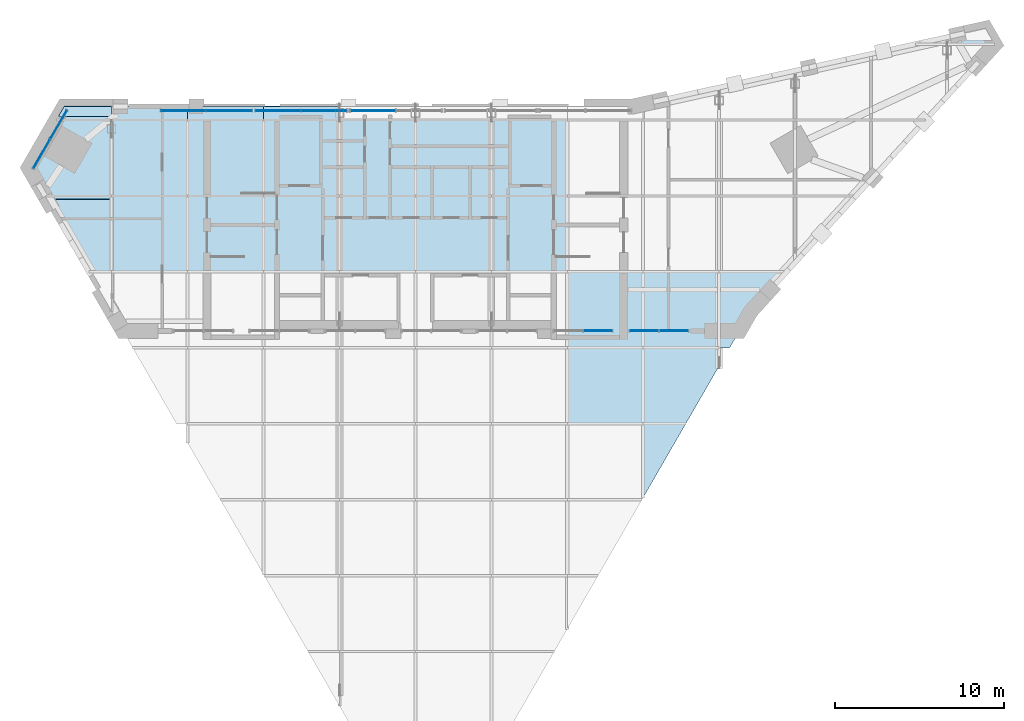
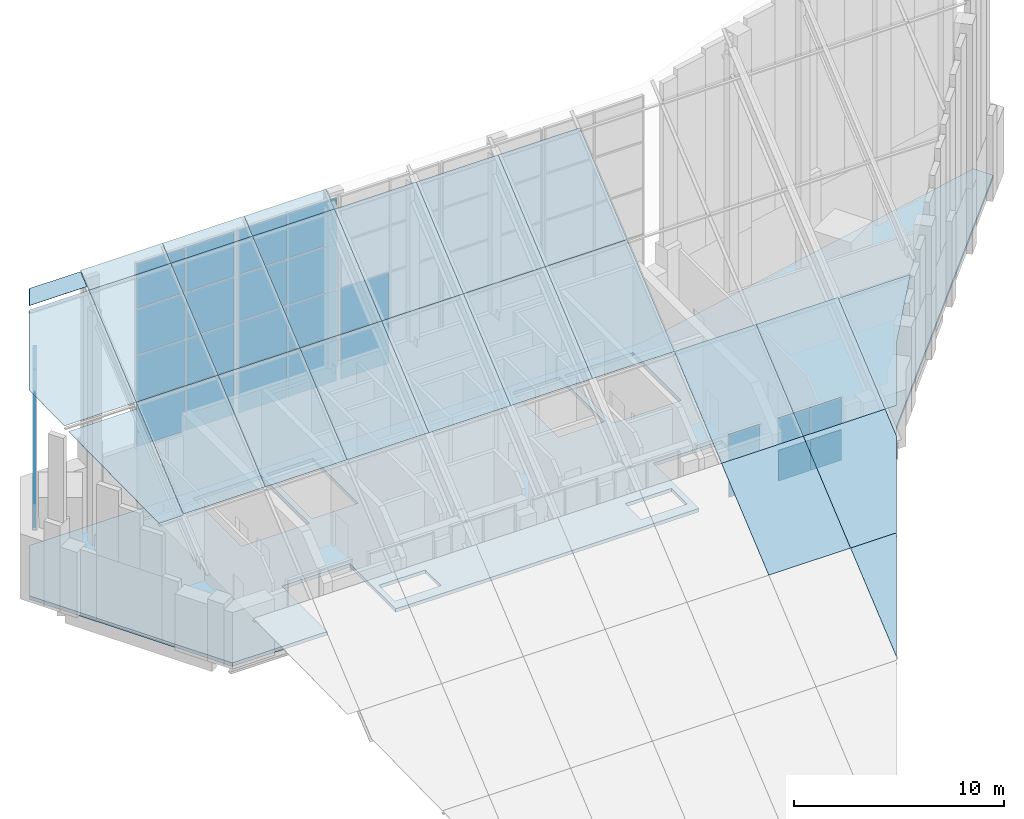
# One storey, part 10 of 19: 54 plates, 1 slab, 16 elements without a shape of their own.
"""IFC4 building model written with IfcOpenShell, lengths in metres."""

from ifc_helpers import new_model, si_unit, direction, frame, origin, origin_2d, place, context, subcontext, project, spatial, polyline, rectangle, outline, extrude, material, layer, layer_set, type_object, element, aggregate, save


model = new_model("IFC4")

# Units and contexts
model_context = context("Model", 3, precision=1e-05, world=origin(), true_north=direction((0.0, 1.0)))
body_context = subcontext(model_context, "Body", "Model", "MODEL_VIEW")
ifc_project = project(units=[si_unit("LENGTHUNIT", "METRE"), si_unit("AREAUNIT", "SQUARE_METRE"), si_unit("VOLUMEUNIT", "CUBIC_METRE"), si_unit("PLANEANGLEUNIT", "RADIAN"), si_unit("MASSUNIT", "GRAM", prefix="KILO")], contexts=[model_context])

# Site, building, storey
site_placement = place(None, origin())
site = spatial("IfcSite", under=ifc_project, at=site_placement, CompositionType="ELEMENT")
building_placement = place(site_placement, origin())
building = spatial("IfcBuilding", under=site, at=building_placement, Name="Calabash Gate Tower", CompositionType="ELEMENT")
storey_placement = place(building_placement, frame((0.0, 0.0, 335.5)))
storey = spatial("IfcBuildingStorey", under=building, at=storey_placement, Name="L78", CompositionType="ELEMENT", Elevation=335.5)

# Curtain wall, plates
ifc_material_1 = material(Name="Anodised aluminium frame, bronze finish, clear laminated low-emissivity glazing", Category="aluminium")
curtain_wall_type_1 = type_object("IfcCurtainWallType", Name="Curtain wall CWC crown roof glazing", PredefinedType="NOTDEFINED", material=ifc_material_1)
curtain_wall_1_placement = place(storey_placement, origin())
curtain_wall_1 = element("IfcCurtainWall", 1, at=curtain_wall_1_placement, inside=storey, type_object=curtain_wall_type_1, Name="Curtain wall CWC roof glazing strip 1", PredefinedType="NOTDEFINED")
ifc_material_2 = material(Name="Clear laminated low-emissivity glazing", Category="glass")
ifc_layer_1 = layer(ifc_material_2, 0.0400390625)
ifc_layer_set_1 = layer_set([ifc_layer_1], Name="Glass panel CWC 40")
plate_type_1 = type_object("IfcPlateType", Name="Glass panel CWC 40", PredefinedType="CURTAIN_PANEL", material=ifc_layer_set_1)
plate_1_placement = place(storey_placement, frame((-18.0, 9.248046875, 6.710693359375), z_axis=(0.0, -0.642786032272, 0.766045766724), x_axis=(-1.0, 0.0, 0.0)))
plate_1 = element("IfcPlate", 2, at=plate_1_placement, type_object=plate_type_1, Name="CWC roof panel 1.2", PredefinedType="CURTAIN_PANEL", context=body_context, shape_type="SweptSolid", body=[
    extrude(outline(polyline([(0.0, 0.0), (1.34912109375, 0.0), (3.83154296875, -5.61328125), (0.0, -5.61328125), (0.0, 0.0)])), origin(), (0.0, 0.0, -1.0), 0.0400390625),
])
plate_2_placement = place(storey_placement, frame((-22.9111328125, 15.41796875, 11.9609375), z_axis=(-7.446781e-06, -0.642780023051, 0.766050808962), x_axis=(0.404446919132, 0.700598621026, 0.587864152523)))
plate_2 = element("IfcPlate", 3, at=plate_2_placement, type_object=plate_type_1, Name="CWC roof panel 1.3", PredefinedType="CURTAIN_PANEL", context=body_context, shape_type="SweptSolid", body=[
    extrude(outline(polyline([(0.0, 0.0), (4.03955078125, 0.0), (5.364990234375, -2.997314453125), (-0.00732421875, -5.373291015625), (-1.603759765625, -1.763427734375), (0.0, 0.0)])), origin(), (0.0, 0.0, -1.0), 0.0400390625),
])
plate_3_placement = place(storey_placement, frame((-18.0, 19.052490234375, 14.937744140625), z_axis=(0.0, -0.642858283733, 0.765985134997), x_axis=(0.0, -0.765985134997, -0.642858283733)))
plate_3 = element("IfcPlate", 4, at=plate_3_placement, type_object=plate_type_1, Name="CWC roof panel 1.4", PredefinedType="CURTAIN_PANEL", context=body_context, shape_type="SweptSolid", body=[
    extrude(outline(polyline([(0.0, 0.0), (0.7890625, 0.0), (0.7890625, -3.161865234375), (0.0, -2.812744140625), (0.0, 0.0)])), origin(), (0.0, 0.0, -1.0), 0.0400390625),
])
aggregate(curtain_wall_1, [plate_1, plate_2, plate_3])

curtain_wall_2_placement = place(storey_placement, origin())
curtain_wall_2 = element("IfcCurtainWall", 5, at=curtain_wall_2_placement, inside=storey, type_object=curtain_wall_type_1, Name="Curtain wall CWC roof glazing strip 2", PredefinedType="NOTDEFINED")
plate_4_placement = place(storey_placement, frame((-18.0, 13.748046875, 10.559814453125), z_axis=(0.0, -0.642780673403, 0.766050263298), x_axis=(1.0, 0.0, 0.0)))
plate_4 = element("IfcPlate", 6, at=plate_4_placement, type_object=plate_type_1, Name="CWC roof panel 2.3", PredefinedType="CURTAIN_PANEL", context=body_context, shape_type="SweptSolid", body=[
    extrude(outline(polyline([(0.0, 0.0), (4.5, 0.0), (4.5, -5.874267578125), (0.0, -5.874267578125), (0.0, 0.0)])), origin(), (0.0, 0.0, -1.0), 0.0400390625),
])
plate_5_placement = place(storey_placement, frame((-18.0, 18.248046875, 14.335693359375), z_axis=(0.0, -0.642780673403, 0.766050263298), x_axis=(1.0, 0.0, 0.0)))
plate_5 = element("IfcPlate", 7, at=plate_5_placement, type_object=plate_type_1, Name="CWC roof panel 2.4", PredefinedType="CURTAIN_PANEL", context=body_context, shape_type="SweptSolid", body=[
    extrude(outline(polyline([(0.0, 0.0), (4.5, 0.0), (4.5, -5.874267578125), (0.0, -5.874267578125), (0.0, 0.0)])), origin(), (0.0, 0.0, -1.0), 0.0400390625),
])
plate_6_placement = place(storey_placement, frame((-18.0, 19.052490234375, 15.0107421875), z_axis=(0.0, -0.642810353623, 0.766025358115), x_axis=(1.0, 0.0, 0.0)))
plate_6 = element("IfcPlate", 8, at=plate_6_placement, type_object=plate_type_1, Name="CWC roof panel 2.5", PredefinedType="CURTAIN_PANEL", context=body_context, shape_type="SweptSolid", body=[
    extrude(outline(polyline([(0.0, 0.0), (4.5, 0.0), (4.5, -1.050048828125), (0.0, -1.050048828125), (0.0, 0.0)])), origin(), (0.0, 0.0, -1.0), 0.0400390625),
])
aggregate(curtain_wall_2, [plate_4, plate_5, plate_6])

curtain_wall_3_placement = place(storey_placement, origin())
curtain_wall_3 = element("IfcCurtainWall", 9, at=curtain_wall_3_placement, inside=storey, type_object=curtain_wall_type_1, Name="Curtain wall CWC roof glazing strip 3", PredefinedType="NOTDEFINED")
plate_7_placement = place(storey_placement, frame((-13.5, 13.748046875, 10.559814453125), z_axis=(0.0, -0.642780673403, 0.766050263298), x_axis=(1.0, 0.0, 0.0)))
plate_7 = element("IfcPlate", 10, at=plate_7_placement, type_object=plate_type_1, Name="CWC roof panel 3.5", PredefinedType="CURTAIN_PANEL", context=body_context, shape_type="SweptSolid", body=[
    extrude(outline(polyline([(0.0, 0.0), (4.5, 0.0), (4.5, -5.874267578125), (0.0, -5.874267578125), (0.0, 0.0)])), origin(), (0.0, 0.0, -1.0), 0.0400390625),
])
plate_8_placement = place(storey_placement, frame((-13.5, 18.248046875, 14.335693359375), z_axis=(0.0, -0.642780673403, 0.766050263298), x_axis=(1.0, 0.0, 0.0)))
plate_8 = element("IfcPlate", 11, at=plate_8_placement, type_object=plate_type_1, Name="CWC roof panel 3.6", PredefinedType="CURTAIN_PANEL", context=body_context, shape_type="SweptSolid", body=[
    extrude(outline(polyline([(0.0, 0.0), (4.5, 0.0), (4.5, -5.874267578125), (0.0, -5.874267578125), (0.0, 0.0)])), origin(), (0.0, 0.0, -1.0), 0.0400390625),
])
plate_9_placement = place(storey_placement, frame((-13.5, 19.052490234375, 15.0107421875), z_axis=(0.0, -0.642810353623, 0.766025358115), x_axis=(1.0, 0.0, 0.0)))
plate_9 = element("IfcPlate", 12, at=plate_9_placement, type_object=plate_type_1, Name="CWC roof panel 3.7", PredefinedType="CURTAIN_PANEL", context=body_context, shape_type="SweptSolid", body=[
    extrude(outline(polyline([(0.0, 0.0), (4.5, 0.0), (4.5, -1.050048828125), (0.0, -1.050048828125), (0.0, 0.0)])), origin(), (0.0, 0.0, -1.0), 0.0400390625),
])
aggregate(curtain_wall_3, [plate_7, plate_8, plate_9])

curtain_wall_4_placement = place(storey_placement, origin())
curtain_wall_4 = element("IfcCurtainWall", 13, at=curtain_wall_4_placement, inside=storey, type_object=curtain_wall_type_1, Name="Curtain wall CWC roof glazing strip 4", PredefinedType="NOTDEFINED")
plate_10_placement = place(storey_placement, frame((-9.0, 13.748046875, 10.559814453125), z_axis=(0.0, -0.642780673403, 0.766050263298), x_axis=(1.0, 0.0, 0.0)))
plate_10 = element("IfcPlate", 14, at=plate_10_placement, type_object=plate_type_1, Name="CWC roof panel 4.7", PredefinedType="CURTAIN_PANEL", context=body_context, shape_type="SweptSolid", body=[
    extrude(outline(polyline([(0.0, 0.0), (4.5, 0.0), (4.5, -5.874267578125), (0.0, -5.874267578125), (0.0, 0.0)])), origin(), (0.0, 0.0, -1.0), 0.0400390625),
])
plate_11_placement = place(storey_placement, frame((-9.0, 18.248046875, 14.335693359375), z_axis=(0.0, -0.642780673403, 0.766050263298), x_axis=(1.0, 0.0, 0.0)))
plate_11 = element("IfcPlate", 15, at=plate_11_placement, type_object=plate_type_1, Name="CWC roof panel 4.8", PredefinedType="CURTAIN_PANEL", context=body_context, shape_type="SweptSolid", body=[
    extrude(outline(polyline([(0.0, 0.0), (4.5, 0.0), (4.5, -5.874267578125), (0.0, -5.874267578125), (0.0, 0.0)])), origin(), (0.0, 0.0, -1.0), 0.0400390625),
])
plate_12_placement = place(storey_placement, frame((-9.0, 19.052490234375, 15.0107421875), z_axis=(0.0, -0.642810353623, 0.766025358115), x_axis=(1.0, 0.0, 0.0)))
plate_12 = element("IfcPlate", 16, at=plate_12_placement, type_object=plate_type_1, Name="CWC roof panel 4.9", PredefinedType="CURTAIN_PANEL", context=body_context, shape_type="SweptSolid", body=[
    extrude(outline(polyline([(0.0, 0.0), (4.5, 0.0), (4.5, -1.050048828125), (0.0, -1.050048828125), (0.0, 0.0)])), origin(), (0.0, 0.0, -1.0), 0.0400390625),
])
aggregate(curtain_wall_4, [plate_10, plate_11, plate_12])

curtain_wall_5_placement = place(storey_placement, origin())
curtain_wall_5 = element("IfcCurtainWall", 17, at=curtain_wall_5_placement, inside=storey, type_object=curtain_wall_type_1, Name="Curtain wall CWC roof glazing strip 5", PredefinedType="NOTDEFINED")
plate_13_placement = place(storey_placement, frame((-4.5, 13.748046875, 10.559814453125), z_axis=(0.0, -0.642780673403, 0.766050263298), x_axis=(1.0, 0.0, 0.0)))
plate_13 = element("IfcPlate", 18, at=plate_13_placement, type_object=plate_type_1, Name="CWC roof panel 5.8", PredefinedType="CURTAIN_PANEL", context=body_context, shape_type="SweptSolid", body=[
    extrude(outline(polyline([(0.0, 0.0), (4.5, 0.0), (4.5, -5.874267578125), (0.0, -5.874267578125), (0.0, 0.0)])), origin(), (0.0, 0.0, -1.0), 0.0400390625),
])
plate_14_placement = place(storey_placement, frame((-4.5, 18.248046875, 14.335693359375), z_axis=(0.0, -0.642780673403, 0.766050263298), x_axis=(1.0, 0.0, 0.0)))
plate_14 = element("IfcPlate", 19, at=plate_14_placement, type_object=plate_type_1, Name="CWC roof panel 5.9", PredefinedType="CURTAIN_PANEL", context=body_context, shape_type="SweptSolid", body=[
    extrude(outline(polyline([(0.0, 0.0), (4.5, 0.0), (4.5, -5.874267578125), (0.0, -5.874267578125), (0.0, 0.0)])), origin(), (0.0, 0.0, -1.0), 0.0400390625),
])
aggregate(curtain_wall_5, [plate_13, plate_14])

curtain_wall_6_placement = place(storey_placement, origin())
curtain_wall_6 = element("IfcCurtainWall", 20, at=curtain_wall_6_placement, inside=storey, type_object=curtain_wall_type_1, Name="Curtain wall CWC roof glazing strip 6", PredefinedType="NOTDEFINED")
plate_15_placement = place(storey_placement, frame((0.0, 13.748046875, 10.559814453125), z_axis=(0.0, -0.642780673403, 0.766050263298), x_axis=(1.0, 0.0, 0.0)))
plate_15 = element("IfcPlate", 21, at=plate_15_placement, type_object=plate_type_1, Name="CWC roof panel 6.8", PredefinedType="CURTAIN_PANEL", context=body_context, shape_type="SweptSolid", body=[
    extrude(outline(polyline([(0.0, 0.0), (4.5, 0.0), (4.5, -5.874267578125), (0.0, -5.874267578125), (0.0, 0.0)])), origin(), (0.0, 0.0, -1.0), 0.0400390625),
])
plate_16_placement = place(storey_placement, frame((0.0, 18.248046875, 14.335693359375), z_axis=(0.0, -0.642780673403, 0.766050263298), x_axis=(1.0, 0.0, 0.0)))
plate_16 = element("IfcPlate", 22, at=plate_16_placement, type_object=plate_type_1, Name="CWC roof panel 6.9", PredefinedType="CURTAIN_PANEL", context=body_context, shape_type="SweptSolid", body=[
    extrude(outline(polyline([(0.0, 0.0), (4.5, 0.0), (4.5, -5.874267578125), (0.0, -5.874267578125), (0.0, 0.0)])), origin(), (0.0, 0.0, -1.0), 0.0400390625),
])
aggregate(curtain_wall_6, [plate_15, plate_16])

curtain_wall_7_placement = place(storey_placement, origin())
curtain_wall_7 = element("IfcCurtainWall", 23, at=curtain_wall_7_placement, inside=storey, type_object=curtain_wall_type_1, Name="Curtain wall CWC roof glazing strip 7", PredefinedType="NOTDEFINED")
plate_17_placement = place(storey_placement, frame((4.5, 13.748046875, 10.559814453125), z_axis=(0.0, -0.642780673403, 0.766050263298), x_axis=(1.0, 0.0, 0.0)))
plate_17 = element("IfcPlate", 24, at=plate_17_placement, type_object=plate_type_1, Name="CWC roof panel 7.8", PredefinedType="CURTAIN_PANEL", context=body_context, shape_type="SweptSolid", body=[
    extrude(outline(polyline([(0.0, 0.0), (4.5, 0.0), (4.5, -5.874267578125), (0.0, -5.874267578125), (0.0, 0.0)])), origin(), (0.0, 0.0, -1.0), 0.0400390625),
])
plate_18_placement = place(storey_placement, frame((4.5, 18.248046875, 14.335693359375), z_axis=(0.0, -0.642780673403, 0.766050263298), x_axis=(1.0, 0.0, 0.0)))
plate_18 = element("IfcPlate", 25, at=plate_18_placement, type_object=plate_type_1, Name="CWC roof panel 7.9", PredefinedType="CURTAIN_PANEL", context=body_context, shape_type="SweptSolid", body=[
    extrude(outline(polyline([(0.0, 0.0), (4.5, 0.0), (4.5, -5.874267578125), (0.0, -5.874267578125), (0.0, 0.0)])), origin(), (0.0, 0.0, -1.0), 0.0400390625),
])
aggregate(curtain_wall_7, [plate_17, plate_18])

curtain_wall_8_placement = place(storey_placement, origin())
curtain_wall_8 = element("IfcCurtainWall", 26, at=curtain_wall_8_placement, inside=storey, type_object=curtain_wall_type_1, Name="Curtain wall CWC roof glazing strip 8", PredefinedType="NOTDEFINED")
plate_19_placement = place(storey_placement, frame((9.0, 4.748046875, 3.0078125), z_axis=(0.0, -0.642780673403, 0.766050263298), x_axis=(1.0, 0.0, 0.0)))
plate_19 = element("IfcPlate", 27, at=plate_19_placement, type_object=plate_type_1, Name="CWC roof panel 8.4", PredefinedType="CURTAIN_PANEL", context=body_context, shape_type="SweptSolid", body=[
    extrude(outline(polyline([(0.0, 0.0), (4.5, 0.0), (4.5, -5.874267578125), (0.0, -5.874267578125), (0.0, 0.0)])), origin(), (0.0, 0.0, -1.0), 0.0400390625),
])
plate_20_placement = place(storey_placement, frame((9.0, 9.248046875, 6.783935546875), z_axis=(0.0, -0.642805061726, 0.76602979878), x_axis=(1.0, 0.0, 0.0)))
plate_20 = element("IfcPlate", 28, at=plate_20_placement, type_object=plate_type_1, Name="CWC roof panel 8.5", PredefinedType="CURTAIN_PANEL", context=body_context, shape_type="SweptSolid", body=[
    extrude(outline(polyline([(0.0, 0.0), (4.5, 0.0), (4.5, -5.87451171875), (0.0, -5.87451171875), (0.0, 0.0)])), origin(), (0.0, 0.0, -1.0), 0.0400390625),
])
aggregate(curtain_wall_8, [plate_19, plate_20])

curtain_wall_9_placement = place(storey_placement, origin())
curtain_wall_9 = element("IfcCurtainWall", 29, at=curtain_wall_9_placement, inside=storey, type_object=curtain_wall_type_1, Name="Curtain wall CWC roof glazing strip 9", PredefinedType="NOTDEFINED")
plate_21_placement = place(storey_placement, frame((13.5, -4.124755859375, -4.437255859375), z_axis=(0.0, -0.642784761181, 0.76604683329), x_axis=(0.0, 0.76604683329, 0.642784761181)))
plate_21 = element("IfcPlate", 30, at=plate_21_placement, type_object=plate_type_1, Name="CWC roof panel 9.1", PredefinedType="CURTAIN_PANEL", context=body_context, shape_type="SweptSolid", body=[
    extrude(outline(polyline([(0.0, 0.0), (5.708251953125, 0.0), (5.708251953125, -2.524658203125), (0.0, 0.0)])), origin(), (0.0, 0.0, -1.0), 0.0400390625),
])
plate_22_placement = place(storey_placement, frame((16.024658203125, 0.248046875, -0.76806640625), z_axis=(-1.845807e-06, -0.642780197924, 0.766050662263), x_axis=(-0.999999999998, 1.186448e-06, -1.413982e-06)))
plate_22 = element("IfcPlate", 31, at=plate_22_placement, type_object=plate_type_1, Name="CWC roof panel 9.2", PredefinedType="CURTAIN_PANEL", context=body_context, shape_type="SweptSolid", body=[
    extrude(outline(polyline([(0.0, 0.0), (2.524658203125, 0.0), (2.524658203125, -5.874267578125), (-1.975341796875, -5.874267578125), (-1.975341796875, -4.46630859375), (0.0, 0.0)])), origin(), (0.0, 0.0, -1.0), 0.0400390625),
])
plate_23_placement = place(storey_placement, frame((13.5, 9.248046875, 6.783935546875), z_axis=(0.0, -0.642805061726, 0.76602979878), x_axis=(1.0, 0.0, 0.0)))
plate_23 = element("IfcPlate", 32, at=plate_23_placement, type_object=plate_type_1, Name="CWC roof panel 9.3", PredefinedType="CURTAIN_PANEL", context=body_context, shape_type="SweptSolid", body=[
    extrude(outline(polyline([(0.0, 0.0), (4.5, 0.0), (4.5, -5.87451171875), (0.0, -5.87451171875), (0.0, 0.0)])), origin(), (0.0, 0.0, -1.0), 0.0400390625),
])
aggregate(curtain_wall_9, [plate_21, plate_22, plate_23])

# Curtain wall, plate
curtain_wall_10_placement = place(storey_placement, origin())
curtain_wall_10 = element("IfcCurtainWall", 33, at=curtain_wall_10_placement, inside=storey, type_object=curtain_wall_type_1, Name="Curtain wall CWC roof glazing strip 10", PredefinedType="NOTDEFINED")
plate_24_placement = place(storey_placement, frame((18.622802734375, 4.748046875, 3.0078125), z_axis=(1.4204498e-05, -0.642801928547, 0.766032427809), x_axis=(-0.999999999899, -9.130679e-06, 1.0881106e-05)))
plate_24 = element("IfcPlate", 34, at=plate_24_placement, type_object=plate_type_1, Name="CWC roof panel 10.1", PredefinedType="CURTAIN_PANEL", context=body_context, shape_type="SweptSolid", body=[
    extrude(outline(polyline([(0.0, 0.0), (0.622802734375, 0.0), (0.622802734375, -5.822021484375), (-3.34375, -5.822021484375), (-1.258544921875, -2.845947265625), (0.0, 0.0)])), origin(), (0.0, 0.0, -1.0), 0.0400390625),
])
aggregate(curtain_wall_10, [plate_24])

# Curtain wall, plates
ifc_material_3 = material(Name="Anodised aluminium frame, bronze finish, clear laminated impact-rated glazing", Category="aluminium")
curtain_wall_type_2 = type_object("IfcCurtainWallType", Name="Curtain wall CWV crown wall", PredefinedType="NOTDEFINED", material=ifc_material_3)
curtain_wall_11_placement = place(storey_placement, origin())
curtain_wall_11 = element("IfcCurtainWall", 35, at=curtain_wall_11_placement, inside=storey, type_object=curtain_wall_type_2, Name="Curtain wall CWV L78 crown1.6", PredefinedType="NOTDEFINED")
ifc_material_4 = material(Name="Clear laminated impact-rated glazing", Category="glass")
ifc_layer_2 = layer(ifc_material_4, 0.0439453125)
ifc_layer_set_2 = layer_set([ifc_layer_2], Name="Glass panel CWV 44")
plate_type_2 = type_object("IfcPlateType", Name="Glass panel CWV 44", PredefinedType="CURTAIN_PANEL", material=ifc_layer_set_2)
plate_25_placement = place(storey_placement, frame((10.817138671875, 5.75439453125, 0.074951171875), z_axis=(0.0, 0.0, 1.0), x_axis=(1.0, 0.0, 0.0)))
plate_25 = element("IfcPlate", 36, at=plate_25_placement, type_object=plate_type_2, Name="CWV panel 2.1", PredefinedType="CURTAIN_PANEL", context=body_context, shape_type="SweptSolid", body=[
    extrude(rectangle(XDim=1.6875, YDim=0.0439453125, at=origin_2d()), origin(), (0.0, 0.0, 1.0), 1.78759765625),
])
plate_26_placement = place(storey_placement, frame((10.817138671875, 5.75439453125, 1.9375), z_axis=(0.0, 0.0, 1.0), x_axis=(1.0, 0.0, 0.0)))
plate_26 = element("IfcPlate", 37, at=plate_26_placement, type_object=plate_type_2, Name="CWV panel 2.2", PredefinedType="CURTAIN_PANEL", context=body_context, shape_type="SweptSolid", body=[
    extrude(rectangle(XDim=1.6875, YDim=0.0439453125, at=origin_2d()), origin(), (0.0, 0.0, 1.0), 1.78759765625),
])
aggregate(curtain_wall_11, [plate_25, plate_26])

curtain_wall_12_placement = place(storey_placement, origin())
curtain_wall_12 = element("IfcCurtainWall", 38, at=curtain_wall_12_placement, inside=storey, type_object=curtain_wall_type_2, Name="Curtain wall CWV L78 crown1.7", PredefinedType="NOTDEFINED")
plate_27_placement = place(storey_placement, frame((13.5546875, 5.75439453125, 0.074951171875), z_axis=(0.0, 0.0, 1.0), x_axis=(1.0, 0.0, 0.0)))
plate_27 = element("IfcPlate", 39, at=plate_27_placement, type_object=plate_type_2, Name="CWV panel 1.1", PredefinedType="CURTAIN_PANEL", context=body_context, shape_type="SweptSolid", body=[
    extrude(rectangle(XDim=1.6875, YDim=0.0439453125, at=origin_2d()), origin(), (0.0, 0.0, 1.0), 1.78759765625),
])
plate_28_placement = place(storey_placement, frame((13.5546875, 5.75439453125, 1.9375), z_axis=(0.0, 0.0, 1.0), x_axis=(1.0, 0.0, 0.0)))
plate_28 = element("IfcPlate", 40, at=plate_28_placement, type_object=plate_type_2, Name="CWV panel 1.2", PredefinedType="CURTAIN_PANEL", context=body_context, shape_type="SweptSolid", body=[
    extrude(rectangle(XDim=1.6875, YDim=0.0439453125, at=origin_2d()), origin(), (0.0, 0.0, 1.0), 1.78759765625),
])
plate_29_placement = place(storey_placement, frame((15.317138671875, 5.75439453125, 0.074951171875), z_axis=(0.0, 0.0, 1.0), x_axis=(1.0, 0.0, 0.0)))
plate_29 = element("IfcPlate", 41, at=plate_29_placement, type_object=plate_type_2, Name="CWV panel 2.1", PredefinedType="CURTAIN_PANEL", context=body_context, shape_type="SweptSolid", body=[
    extrude(rectangle(XDim=1.6875, YDim=0.0439453125, at=origin_2d()), origin(), (0.0, 0.0, 1.0), 1.78759765625),
])
plate_30_placement = place(storey_placement, frame((15.317138671875, 5.75439453125, 1.9375), z_axis=(0.0, 0.0, 1.0), x_axis=(1.0, 0.0, 0.0)))
plate_30 = element("IfcPlate", 42, at=plate_30_placement, type_object=plate_type_2, Name="CWV panel 2.2", PredefinedType="CURTAIN_PANEL", context=body_context, shape_type="SweptSolid", body=[
    extrude(rectangle(XDim=1.6875, YDim=0.0439453125, at=origin_2d()), origin(), (0.0, 0.0, 1.0), 1.78759765625),
])
aggregate(curtain_wall_12, [plate_27, plate_28, plate_29, plate_30])

curtain_wall_13_placement = place(storey_placement, origin())
curtain_wall_13 = element("IfcCurtainWall", 43, at=curtain_wall_13_placement, inside=storey, type_object=curtain_wall_type_2, Name="Curtain wall CWV L78 crown screen 6.3", PredefinedType="NOTDEFINED")
plate_31_placement = place(storey_placement, frame((-2.51806640625, 18.802490234375, 3.875), z_axis=(0.0, 0.0, 1.0), x_axis=(-1.0, 0.0, 0.0)))
plate_31 = element("IfcPlate", 44, at=plate_31_placement, type_object=plate_type_2, Name="CWV panel 2.1", PredefinedType="CURTAIN_PANEL", context=body_context, shape_type="SweptSolid", body=[
    extrude(rectangle(XDim=2.645263671875, YDim=0.0439453125, at=origin_2d()), origin(), (0.0, 0.0, 1.0), 2.587158203125),
])
plate_32_placement = place(storey_placement, frame((-2.51806640625, 18.802490234375, 6.537109375), z_axis=(0.0, 0.0, 1.0), x_axis=(-1.0, 0.0, 0.0)))
plate_32 = element("IfcPlate", 45, at=plate_32_placement, type_object=plate_type_2, Name="CWV panel 2.2", PredefinedType="CURTAIN_PANEL", context=body_context, shape_type="SweptSolid", body=[
    extrude(rectangle(XDim=2.645263671875, YDim=0.0439453125, at=origin_2d()), origin(), (0.0, 0.0, 1.0), 2.624755859375),
])
aggregate(curtain_wall_13, [plate_31, plate_32])

curtain_wall_14_placement = place(storey_placement, origin())
curtain_wall_14 = element("IfcCurtainWall", 46, at=curtain_wall_14_placement, inside=storey, type_object=curtain_wall_type_2, Name="Curtain wall CWV L78 crown screen 6.4", PredefinedType="NOTDEFINED")
plate_33_placement = place(storey_placement, frame((-5.413330078125, 18.802490234375, 3.875), z_axis=(0.0, 0.0, 1.0), x_axis=(-1.0, 0.0, 0.0)))
plate_33 = element("IfcPlate", 47, at=plate_33_placement, type_object=plate_type_2, Name="CWV panel 1.1", PredefinedType="CURTAIN_PANEL", context=body_context, shape_type="SweptSolid", body=[
    extrude(rectangle(XDim=2.645263671875, YDim=0.0439453125, at=origin_2d()), origin(), (0.0, 0.0, 1.0), 2.587158203125),
])
plate_34_placement = place(storey_placement, frame((-5.413330078125, 18.802490234375, 6.537109375), z_axis=(0.0, 0.0, 1.0), x_axis=(-1.0, 0.0, 0.0)))
plate_34 = element("IfcPlate", 48, at=plate_34_placement, type_object=plate_type_2, Name="CWV panel 1.2", PredefinedType="CURTAIN_PANEL", context=body_context, shape_type="SweptSolid", body=[
    extrude(rectangle(XDim=2.645263671875, YDim=0.0439453125, at=origin_2d()), origin(), (0.0, 0.0, 1.0), 2.624755859375),
])
plate_35_placement = place(storey_placement, frame((-5.413330078125, 18.802490234375, 9.23681640625), z_axis=(0.0, 0.0, 1.0), x_axis=(-1.0, 0.0, 0.0)))
plate_35 = element("IfcPlate", 49, at=plate_35_placement, type_object=plate_type_2, Name="CWV panel 1.3", PredefinedType="CURTAIN_PANEL", context=body_context, shape_type="SweptSolid", body=[
    extrude(rectangle(XDim=2.645263671875, YDim=0.0439453125, at=origin_2d()), origin(), (0.0, 0.0, 1.0), 2.624755859375),
])
plate_36_placement = place(storey_placement, frame((-5.413330078125, 18.802490234375, 11.9365234375), z_axis=(0.0, 0.0, 1.0), x_axis=(-1.0, 0.0, 0.0)))
plate_36 = element("IfcPlate", 50, at=plate_36_placement, type_object=plate_type_2, Name="CWV panel 1.4", PredefinedType="CURTAIN_PANEL", context=body_context, shape_type="SweptSolid", body=[
    extrude(rectangle(XDim=2.645263671875, YDim=0.0439453125, at=origin_2d()), origin(), (0.0, 0.0, 1.0), 2.587158203125),
])
plate_37_placement = place(storey_placement, frame((-8.1337890625, 18.802490234375, 3.875), z_axis=(0.0, 0.0, 1.0), x_axis=(-1.0, 0.0, 0.0)))
plate_37 = element("IfcPlate", 51, at=plate_37_placement, type_object=plate_type_2, Name="CWV panel 2.1", PredefinedType="CURTAIN_PANEL", context=body_context, shape_type="SweptSolid", body=[
    extrude(rectangle(XDim=2.645263671875, YDim=0.0439453125, at=origin_2d()), origin(), (0.0, 0.0, 1.0), 2.587158203125),
])
plate_38_placement = place(storey_placement, frame((-8.1337890625, 18.802490234375, 6.537109375), z_axis=(0.0, 0.0, 1.0), x_axis=(-1.0, 0.0, 0.0)))
plate_38 = element("IfcPlate", 52, at=plate_38_placement, type_object=plate_type_2, Name="CWV panel 2.2", PredefinedType="CURTAIN_PANEL", context=body_context, shape_type="SweptSolid", body=[
    extrude(rectangle(XDim=2.645263671875, YDim=0.0439453125, at=origin_2d()), origin(), (0.0, 0.0, 1.0), 2.624755859375),
])
plate_39_placement = place(storey_placement, frame((-8.1337890625, 18.802490234375, 9.23681640625), z_axis=(0.0, 0.0, 1.0), x_axis=(-1.0, 0.0, 0.0)))
plate_39 = element("IfcPlate", 53, at=plate_39_placement, type_object=plate_type_2, Name="CWV panel 2.3", PredefinedType="CURTAIN_PANEL", context=body_context, shape_type="SweptSolid", body=[
    extrude(rectangle(XDim=2.645263671875, YDim=0.0439453125, at=origin_2d()), origin(), (0.0, 0.0, 1.0), 2.624755859375),
])
plate_40_placement = place(storey_placement, frame((-8.1337890625, 18.802490234375, 11.9365234375), z_axis=(0.0, 0.0, 1.0), x_axis=(-1.0, 0.0, 0.0)))
plate_40 = element("IfcPlate", 54, at=plate_40_placement, type_object=plate_type_2, Name="CWV panel 2.4", PredefinedType="CURTAIN_PANEL", context=body_context, shape_type="SweptSolid", body=[
    extrude(rectangle(XDim=2.645263671875, YDim=0.0439453125, at=origin_2d()), origin(), (0.0, 0.0, 1.0), 2.587158203125),
])
aggregate(curtain_wall_14, [plate_33, plate_34, plate_35, plate_36, plate_37, plate_38, plate_39, plate_40])

curtain_wall_15_placement = place(storey_placement, origin())
curtain_wall_15 = element("IfcCurtainWall", 55, at=curtain_wall_15_placement, inside=storey, type_object=curtain_wall_type_2, Name="Curtain wall CWV L78 crown screen 6.5", PredefinedType="NOTDEFINED")
plate_41_placement = place(storey_placement, frame((-11.029052734375, 18.802490234375, 3.875), z_axis=(0.0, 0.0, 1.0), x_axis=(-1.0, 0.0, 0.0)))
plate_41 = element("IfcPlate", 56, at=plate_41_placement, type_object=plate_type_2, Name="CWV panel 1.1", PredefinedType="CURTAIN_PANEL", context=body_context, shape_type="SweptSolid", body=[
    extrude(rectangle(XDim=2.645263671875, YDim=0.0439453125, at=origin_2d()), origin(), (0.0, 0.0, 1.0), 2.587158203125),
])
plate_42_placement = place(storey_placement, frame((-11.029052734375, 18.802490234375, 6.537109375), z_axis=(0.0, 0.0, 1.0), x_axis=(-1.0, 0.0, 0.0)))
plate_42 = element("IfcPlate", 57, at=plate_42_placement, type_object=plate_type_2, Name="CWV panel 1.2", PredefinedType="CURTAIN_PANEL", context=body_context, shape_type="SweptSolid", body=[
    extrude(rectangle(XDim=2.645263671875, YDim=0.0439453125, at=origin_2d()), origin(), (0.0, 0.0, 1.0), 2.624755859375),
])
plate_43_placement = place(storey_placement, frame((-11.029052734375, 18.802490234375, 9.23681640625), z_axis=(0.0, 0.0, 1.0), x_axis=(-1.0, 0.0, 0.0)))
plate_43 = element("IfcPlate", 58, at=plate_43_placement, type_object=plate_type_2, Name="CWV panel 1.3", PredefinedType="CURTAIN_PANEL", context=body_context, shape_type="SweptSolid", body=[
    extrude(rectangle(XDim=2.645263671875, YDim=0.0439453125, at=origin_2d()), origin(), (0.0, 0.0, 1.0), 2.624755859375),
])
plate_44_placement = place(storey_placement, frame((-11.029052734375, 18.802490234375, 11.9365234375), z_axis=(0.0, 0.0, 1.0), x_axis=(-1.0, 0.0, 0.0)))
plate_44 = element("IfcPlate", 59, at=plate_44_placement, type_object=plate_type_2, Name="CWV panel 1.4", PredefinedType="CURTAIN_PANEL", context=body_context, shape_type="SweptSolid", body=[
    extrude(rectangle(XDim=2.645263671875, YDim=0.0439453125, at=origin_2d()), origin(), (0.0, 0.0, 1.0), 2.587158203125),
])
plate_45_placement = place(storey_placement, frame((-13.74951171875, 18.802490234375, 3.875), z_axis=(0.0, 0.0, 1.0), x_axis=(-1.0, 0.0, 0.0)))
plate_45 = element("IfcPlate", 60, at=plate_45_placement, type_object=plate_type_2, Name="CWV panel 2.1", PredefinedType="CURTAIN_PANEL", context=body_context, shape_type="SweptSolid", body=[
    extrude(rectangle(XDim=2.645263671875, YDim=0.0439453125, at=origin_2d()), origin(), (0.0, 0.0, 1.0), 2.587158203125),
])
plate_46_placement = place(storey_placement, frame((-13.74951171875, 18.802490234375, 6.537109375), z_axis=(0.0, 0.0, 1.0), x_axis=(-1.0, 0.0, 0.0)))
plate_46 = element("IfcPlate", 61, at=plate_46_placement, type_object=plate_type_2, Name="CWV panel 2.2", PredefinedType="CURTAIN_PANEL", context=body_context, shape_type="SweptSolid", body=[
    extrude(rectangle(XDim=2.645263671875, YDim=0.0439453125, at=origin_2d()), origin(), (0.0, 0.0, 1.0), 2.624755859375),
])
plate_47_placement = place(storey_placement, frame((-13.74951171875, 18.802490234375, 9.23681640625), z_axis=(0.0, 0.0, 1.0), x_axis=(-1.0, 0.0, 0.0)))
plate_47 = element("IfcPlate", 62, at=plate_47_placement, type_object=plate_type_2, Name="CWV panel 2.3", PredefinedType="CURTAIN_PANEL", context=body_context, shape_type="SweptSolid", body=[
    extrude(rectangle(XDim=2.645263671875, YDim=0.0439453125, at=origin_2d()), origin(), (0.0, 0.0, 1.0), 2.624755859375),
])
plate_48_placement = place(storey_placement, frame((-13.74951171875, 18.802490234375, 11.9365234375), z_axis=(0.0, 0.0, 1.0), x_axis=(-1.0, 0.0, 0.0)))
plate_48 = element("IfcPlate", 63, at=plate_48_placement, type_object=plate_type_2, Name="CWV panel 2.4", PredefinedType="CURTAIN_PANEL", context=body_context, shape_type="SweptSolid", body=[
    extrude(rectangle(XDim=2.645263671875, YDim=0.0439453125, at=origin_2d()), origin(), (0.0, 0.0, 1.0), 2.587158203125),
])
aggregate(curtain_wall_15, [plate_41, plate_42, plate_43, plate_44, plate_45, plate_46, plate_47, plate_48])

curtain_wall_16_placement = place(storey_placement, origin())
curtain_wall_16 = element("IfcCurtainWall", 64, at=curtain_wall_16_placement, inside=storey, type_object=curtain_wall_type_2, Name="Curtain wall CWV L78 crown screen 7.1", PredefinedType="NOTDEFINED")
plate_49_placement = place(storey_placement, frame((-21.142822265625, 17.98095703125, 3.875), z_axis=(0.0, 0.0, 1.0), x_axis=(-0.49999992045, -0.866025449713, 0.0)))
plate_49 = element("IfcPlate", 65, at=plate_49_placement, type_object=plate_type_2, Name="CWV panel 1.1", PredefinedType="CURTAIN_PANEL", context=body_context, shape_type="SweptSolid", body=[
    extrude(rectangle(XDim=1.93603515625, YDim=0.0439453125, at=origin_2d()), origin(), (0.0, 0.0, 1.0), 2.517578125),
])
plate_50_placement = place(storey_placement, frame((-21.142822265625, 17.98095703125, 6.467529296875), z_axis=(0.0, 0.0, 1.0), x_axis=(-0.49999992045, -0.866025449713, 0.0)))
plate_50 = element("IfcPlate", 66, at=plate_50_placement, type_object=plate_type_2, Name="CWV panel 1.2", PredefinedType="CURTAIN_PANEL", context=body_context, shape_type="SweptSolid", body=[
    extrude(rectangle(XDim=1.93603515625, YDim=0.0439453125, at=origin_2d()), origin(), (0.0, 0.0, 1.0), 2.55517578125),
])
plate_51_placement = place(storey_placement, frame((-21.142822265625, 17.98095703125, 9.09765625), z_axis=(0.0, 0.0, 1.0), x_axis=(-0.49999992045, -0.866025449713, 0.0)))
plate_51 = element("IfcPlate", 67, at=plate_51_placement, type_object=plate_type_2, Name="CWV panel 1.3", PredefinedType="CURTAIN_PANEL", context=body_context, shape_type="SweptSolid", body=[
    extrude(rectangle(XDim=1.93603515625, YDim=0.0439453125, at=origin_2d()), origin(), (0.0, 0.0, 1.0), 2.517578125),
])
plate_52_placement = place(storey_placement, frame((-22.148193359375, 16.239501953125, 3.875), z_axis=(0.0, 0.0, 1.0), x_axis=(-0.49999992045, -0.866025449713, 0.0)))
plate_52 = element("IfcPlate", 68, at=plate_52_placement, type_object=plate_type_2, Name="CWV panel 2.1", PredefinedType="CURTAIN_PANEL", context=body_context, shape_type="SweptSolid", body=[
    extrude(rectangle(XDim=1.93603515625, YDim=0.0439453125, at=origin_2d()), origin(), (0.0, 0.0, 1.0), 2.517578125),
])
plate_53_placement = place(storey_placement, frame((-22.148193359375, 16.239501953125, 6.467529296875), z_axis=(0.0, 0.0, 1.0), x_axis=(-0.49999992045, -0.866025449713, 0.0)))
plate_53 = element("IfcPlate", 69, at=plate_53_placement, type_object=plate_type_2, Name="CWV panel 2.2", PredefinedType="CURTAIN_PANEL", context=body_context, shape_type="SweptSolid", body=[
    extrude(rectangle(XDim=1.93603515625, YDim=0.0439453125, at=origin_2d()), origin(), (0.0, 0.0, 1.0), 2.55517578125),
])
plate_54_placement = place(storey_placement, frame((-22.148193359375, 16.239501953125, 9.09765625), z_axis=(0.0, 0.0, 1.0), x_axis=(-0.49999992045, -0.866025449713, 0.0)))
plate_54 = element("IfcPlate", 70, at=plate_54_placement, type_object=plate_type_2, Name="CWV panel 2.3", PredefinedType="CURTAIN_PANEL", context=body_context, shape_type="SweptSolid", body=[
    extrude(rectangle(XDim=1.93603515625, YDim=0.0439453125, at=origin_2d()), origin(), (0.0, 0.0, 1.0), 2.517578125),
])
aggregate(curtain_wall_16, [plate_49, plate_50, plate_51, plate_52, plate_53, plate_54])

# Slab
ifc_material_5 = material(Name="Concrete C40/50", Category="concrete")
ifc_layer_3 = layer(ifc_material_5, 0.199951171875)
ifc_layer_set_3 = layer_set([ifc_layer_3], Name="Reinforced concrete floor slab 200 Concrete C40/50")
slab_type = type_object("IfcSlabType", Name="Reinforced concrete floor slab 200 Concrete C40/50", PredefinedType="FLOOR", material=ifc_layer_set_3)
slab_placement = place(storey_placement, frame((0.0, 0.0, -0.199951171875)))
element("IfcSlab", 71, at=slab_placement, inside=storey, type_object=slab_type, Name="Floor slab L78", PredefinedType="FLOOR", context=body_context, shape_type="SweptSolid", body=[
    extrude(outline(polyline([(12.10009765625, 10.1025390625), (8.35009765625, 10.1025390625), (8.35009765625, 5.75439453125), (-8.35009765625, 5.75439453125), (-8.35009765625, 10.1025390625), (-12.10009765625, 10.1025390625), (-12.10009765625, 5.75439453125), (-17.331787109375, 5.75439453125), (-22.9111328125, 15.41796875), (-20.812744140625, 19.052490234375), (12.88134765625, 19.052490234375), (33.783935546875, 23.664794921875), (34.326904296875, 22.724365234375), (19.88134765625, 6.92822265625), (19.20361328125, 5.75439453125), (12.10009765625, 5.75439453125), (12.10009765625, 10.1025390625)]), holes=[polyline([(-8.050048828125, 18.552490234375), (-8.050048828125, 14.252685546875), (-5.5, 14.252685546875), (-5.5, 18.552490234375), (-8.050048828125, 18.552490234375)]), polyline([(8.050048828125, 18.552490234375), (5.5, 18.552490234375), (5.5, 14.252685546875), (8.050048828125, 14.252685546875), (8.050048828125, 18.552490234375)]), polyline([(-8.35009765625, 18.552490234375), (-12.10009765625, 18.552490234375), (-12.10009765625, 13.95263671875), (-8.35009765625, 13.95263671875), (-8.35009765625, 18.552490234375)]), polyline([(8.35009765625, 13.95263671875), (12.10009765625, 13.95263671875), (12.10009765625, 18.552490234375), (8.35009765625, 18.552490234375), (8.35009765625, 13.95263671875)]), polyline([(-5.5, 6.3525390625), (-5.5, 7.8525390625), (-8.050048828125, 7.8525390625), (-8.050048828125, 6.3525390625), (-5.5, 6.3525390625)]), polyline([(5.5, 6.3525390625), (8.050048828125, 6.3525390625), (8.050048828125, 7.8525390625), (5.5, 7.8525390625), (5.5, 6.3525390625)])]), origin(), (0.0, 0.0, 1.0), 0.199951171875),
])

save(model, "model.ifc")
